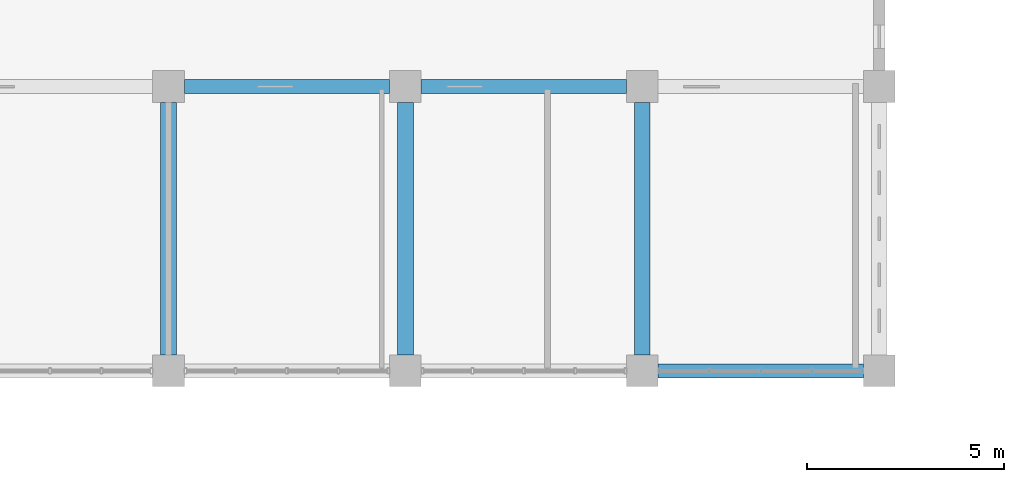
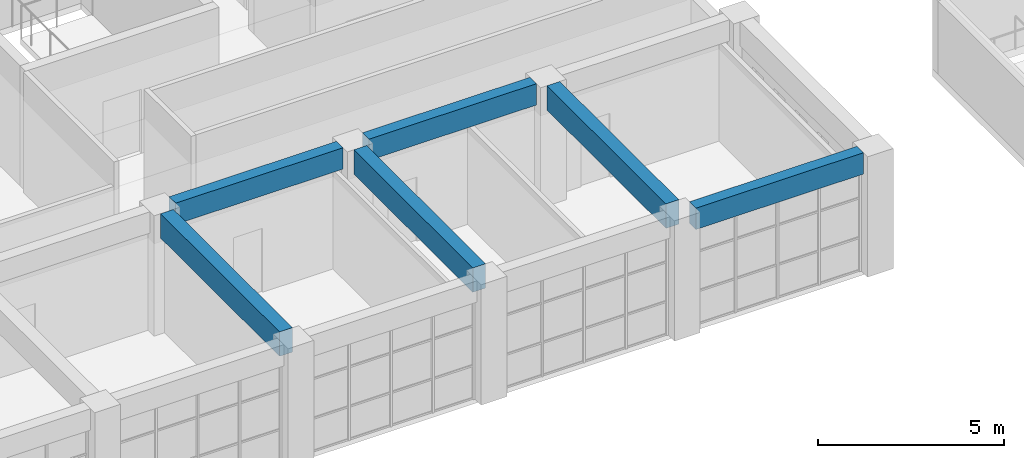
# One storey, part 15 of 51: 6 beams.
"""IFC4 building model written with IfcOpenShell, lengths in metres."""

from ifc_helpers import new_model, si_unit, direction, frame, origin, origin_2d, place, context, subcontext, project, spatial, rectangle, extrude, material, material_profile, profile_set, type_object, element, save


model = new_model("IFC4")

# Units and contexts
model_context = context("Model", 3, precision=1e-05, world=origin(), true_north=direction((0.0, 1.0)))
body_context = subcontext(model_context, "Body", "Model", "MODEL_VIEW")
ifc_project = project(units=[si_unit("LENGTHUNIT", "METRE"), si_unit("AREAUNIT", "SQUARE_METRE"), si_unit("VOLUMEUNIT", "CUBIC_METRE"), si_unit("PLANEANGLEUNIT", "RADIAN"), si_unit("MASSUNIT", "GRAM", prefix="KILO")], contexts=[model_context])

# Site, building, storey
site_placement = place(None, origin())
site = spatial("IfcSite", under=ifc_project, at=site_placement, CompositionType="ELEMENT")
building_placement = place(site_placement, origin())
building = spatial("IfcBuilding", under=site, at=building_placement, Name="Laocheng Heights Fire and Rescue Headquarters", CompositionType="ELEMENT")
storey_placement = place(building_placement, frame((0.0, 0.0, 21.0)))
storey = spatial("IfcBuildingStorey", under=building, at=storey_placement, Name="L05", CompositionType="ELEMENT", Elevation=21.0)

# Beams
ifc_material_1 = material(Name="Concrete C40", Category="concrete")
ifc_material_profile_1 = material_profile(ifc_material_1, rectangle(XDim=0.35009765625, YDim=0.699951171875, at=origin_2d()), Name="RC BEAM 350x700 HQ ROOF")
ifc_profile_set_1 = profile_set([ifc_material_profile_1], Name="Concrete C40")
beam_type_1 = type_object("IfcBeamType", Name="RC BEAM 350x700 HQ ROOF", PredefinedType="BEAM", material=ifc_profile_set_1)
for number, where, z_axis, x_axis, name in (
    (1, (78.39990234375, 50.39990234375, 3.60009765625), (1.0, 0.0, 0.0), (0.0, 1.0, 0.0), "HQ beam L05"),
    (2, (66.39990234375, 57.60009765625, 3.60009765625), (1.0, 0.0, 0.0), (0.0, 1.0, 0.0), "HQ beam L05"),
    (3, (72.39990234375, 57.60009765625, 3.60009765625), (1.0, 0.0, 0.0), (0.0, 1.0, 0.0), "HQ beam L05"),
):
    element("IfcBeam", number, at=place(storey_placement, frame(where, z_axis=z_axis, x_axis=x_axis)), inside=storey, type_object=beam_type_1, Name=name, PredefinedType="BEAM", context=body_context, shape_type="SweptSolid", body=[
        extrude(rectangle(XDim=0.35009765625, YDim=0.699951171875, at=origin_2d()), origin(), (0.0, 0.0, 1.0), 5.2001953125),
    ])
ifc_material_2 = material(Name="Concrete C40", Category="concrete")
ifc_material_profile_2 = material_profile(ifc_material_2, rectangle(XDim=0.39990234375, YDim=0.800048828125, at=origin_2d()), Name="RC BEAM 400x800 HQ ROOF")
ifc_profile_set_2 = profile_set([ifc_material_profile_2], Name="Concrete C40")
beam_type_2 = type_object("IfcBeamType", Name="RC BEAM 400x800 HQ ROOF", PredefinedType="BEAM", material=ifc_profile_set_2)
for number, where, z_axis, x_axis, name in (
    (4, (66.0, 50.800048828125, 3.550048828125), (0.0, 1.0, 0.0), (-1.0, 0.0, 0.0), "HQ beam L05"),
    (5, (72.0, 50.800048828125, 3.550048828125), (0.0, 1.0, 0.0), (-1.0, 0.0, 0.0), "HQ beam L05"),
    (6, (78.0, 50.800048828125, 3.550048828125), (0.0, 1.0, 0.0), (-1.0, 0.0, 0.0), "HQ beam L05"),
):
    element("IfcBeam", number, at=place(storey_placement, frame(where, z_axis=z_axis, x_axis=x_axis)), inside=storey, type_object=beam_type_2, Name=name, PredefinedType="BEAM", context=body_context, shape_type="SweptSolid", body=[
        extrude(rectangle(XDim=0.39990234375, YDim=0.800048828125, at=origin_2d()), origin(), (0.0, 0.0, 1.0), 6.39990234375),
    ])

save(model, "model.ifc")
